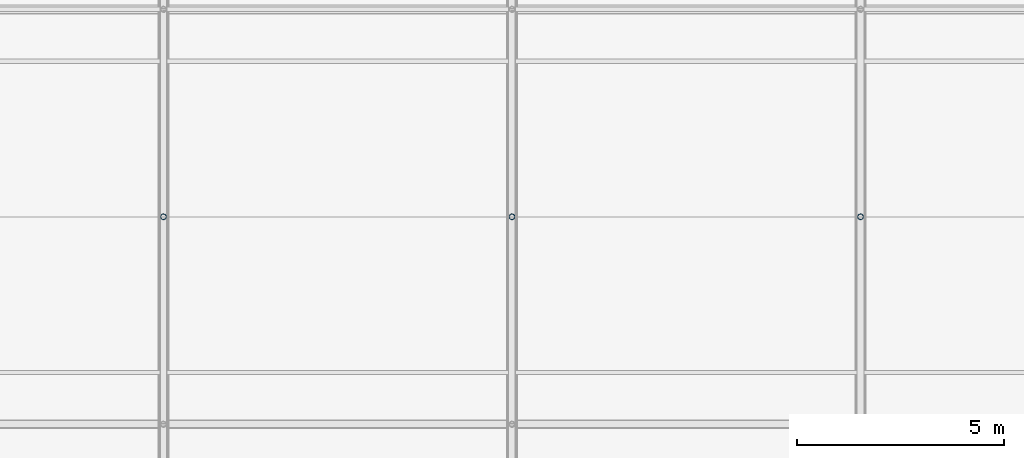
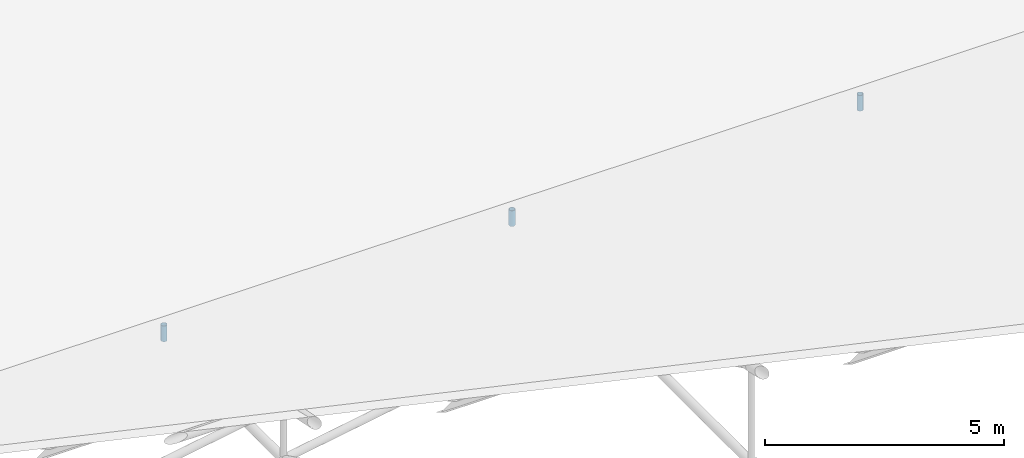
# One storey, part 135 of 194: 3 members.
"""IFC4 building model written with IfcOpenShell, lengths in metres."""

import ifcopenshell
import ifcopenshell.guid

model = None  # the IFC model being written
_history = None  # IfcOwnerHistory: only IFC2X3 demands one
_inside = {}  # id of a spatial element -> (the spatial element, [elements in it])
_under = {}  # id of a project, library or spatial element -> (it, [spatial elements below it])
_declared = {}  # id of a project -> (the project, [libraries it declares])
_typed = {}  # id of a type object -> (the type object, [elements of that type])
_made_of = {}  # id of a material, layer set ... -> (it, [elements and type objects made of it])


def new_model(schema):
    """Start an empty IFC model of exactly this schema.

    Asked for "IFC4X3", IfcOpenShell would pick the latest addendum, in which some entities
    have other attributes; the version numbers below select the first issue.
    IFC2X3 requires an IfcOwnerHistory on every rooted entity: one is made here for all.
    """
    global model, _history
    if schema == "IFC4X3":
        model = ifcopenshell.file(schema_version=(4, 3, 0, 0))
    else:
        model = ifcopenshell.file(schema=schema)
    _inside.clear()
    _under.clear()
    _declared.clear()
    _typed.clear()
    _made_of.clear()
    _history = None
    if model.schema == "IFC2X3":
        org = make("IfcOrganization", Name="unknown")
        user = make(
            "IfcPersonAndOrganization",
            ThePerson=make("IfcPerson", FamilyName="unknown"),
            TheOrganization=org,
        )
        app = make(
            "IfcApplication",
            ApplicationDeveloper=org,
            Version="unknown",
            ApplicationFullName="unknown",
            ApplicationIdentifier="unknown",
        )
        _history = make(
            "IfcOwnerHistory",
            OwningUser=user,
            OwningApplication=app,
            ChangeAction="ADDED",
            CreationDate=0,
        )
    return model


def make(cls, **values):
    """One entity of the class cls with the attributes given. An attribute that is None is left unset."""
    return model.create_entity(
        cls, **{name: value for name, value in values.items() if value is not None}
    )


def rooted(cls, **values):
    """An entity with a GlobalId (a new one), such as an element, a storey or a relation."""
    return make(cls, GlobalId=ifcopenshell.guid.new(), OwnerHistory=_history, **values)


def si_unit(unit_type, name, prefix=None):
    """IfcSIUnit, for example si_unit("LENGTHUNIT", "METRE", prefix="MILLI")."""
    return make("IfcSIUnit", UnitType=unit_type, Prefix=prefix, Name=name)


def assignment(units):
    """IfcUnitAssignment: the units of a project."""
    return None if units is None else make("IfcUnitAssignment", Units=units)


def point(xyz):
    """IfcCartesianPoint."""
    return None if xyz is None else make("IfcCartesianPoint", Coordinates=xyz)


def direction(xyz):
    """IfcDirection."""
    return None if xyz is None else make("IfcDirection", DirectionRatios=xyz)


def frame(location, z_axis=None, x_axis=None):
    """IfcAxis2Placement3D, a coordinate frame: its origin and axes. An axis left out is left unset."""
    return make(
        "IfcAxis2Placement3D",
        Location=point(location),
        Axis=direction(z_axis),
        RefDirection=direction(x_axis),
    )


def frame_2d(location, x_axis=None):
    """IfcAxis2Placement2D, a coordinate frame in the plane: its origin and x axis."""
    return make(
        "IfcAxis2Placement2D", Location=point(location), RefDirection=direction(x_axis)
    )


def origin():
    """The frame at (0, 0, 0) with its axes left unset."""
    return frame((0.0, 0.0, 0.0))


def origin_2d():
    """The frame at (0, 0) in the plane with its x axis left unset."""
    return frame_2d((0.0, 0.0))


def place(relative_to, where):
    """IfcLocalPlacement: puts the frame where relative to a parent placement (None: the world)."""
    return make(
        "IfcLocalPlacement", PlacementRelTo=relative_to, RelativePlacement=where
    )


def context(
    kind, dimensions, precision=None, world=None, true_north=None, identifier=None
):
    """IfcGeometricRepresentationContext, for example the 3D "Model" context."""
    return make(
        "IfcGeometricRepresentationContext",
        ContextIdentifier=identifier,
        ContextType=kind,
        CoordinateSpaceDimension=dimensions,
        Precision=precision,
        WorldCoordinateSystem=world,
        TrueNorth=true_north,
    )


def subcontext(parent, identifier, kind, view, scale=None):
    """IfcGeometricRepresentationSubContext, for example "Body" below "Model"."""
    return make(
        "IfcGeometricRepresentationSubContext",
        ContextIdentifier=identifier,
        ContextType=kind,
        ParentContext=parent,
        TargetScale=scale,
        TargetView=view,
    )


def project(units=None, contexts=None):
    """IfcProject with its units and contexts."""
    return rooted(
        "IfcProject",
        Name="project",
        RepresentationContexts=contexts,
        UnitsInContext=assignment(units),
    )


def spatial(cls, under=None, at=None, **own):
    """A site, building, storey or space (cls), placed at a placement, below another one or the project."""
    s = rooted(cls, ObjectPlacement=at, **own)
    if under is not None:
        _under.setdefault(under.id(), (under, []))[1].append(s)
    return s


def profile(cls, at=None, kind="AREA", **sizes):
    """A parametric profile (cls). Its sizes go by their IFC names, for example OverallWidth=200.0."""
    return make(cls, ProfileType=kind, Position=at, **sizes)


def hollow_circle(**sizes):
    """IfcCircleHollowProfileDef."""
    return profile("IfcCircleHollowProfileDef", **sizes)


def extrude(swept, where, along, depth):
    """IfcExtrudedAreaSolid: the profile swept, set in the frame where, extruded along a direction by depth."""
    return make(
        "IfcExtrudedAreaSolid",
        SweptArea=swept,
        Position=where,
        ExtrudedDirection=direction(along),
        Depth=depth,
    )


def shape(context_of_items, identifier, shape_type, items):
    """IfcShapeRepresentation: the items that make up one representation, for example the "Body"."""
    return make(
        "IfcShapeRepresentation",
        ContextOfItems=context_of_items,
        RepresentationIdentifier=identifier,
        RepresentationType=shape_type,
        Items=items,
    )


def material(Name=None, Category=None):
    """IfcMaterial."""
    return make("IfcMaterial", Name=Name, Category=Category)


def material_profile(
    of_material, cross_section, Name=None, Category=None, Priority=None
):
    """IfcMaterialProfile: a cross section and its material."""
    return make(
        "IfcMaterialProfile",
        Name=Name,
        Material=of_material,
        Profile=cross_section,
        Priority=Priority,
        Category=Category,
    )


def profile_set(profiles, Name=None, composite=None):
    """IfcMaterialProfileSet."""
    return make(
        "IfcMaterialProfileSet",
        Name=Name,
        MaterialProfiles=profiles,
        CompositeProfile=composite,
    )


def made_of(thing, what):
    """Note that an element or type object is made of a material, layer set ...; save() writes the relation."""
    if what is not None:
        _made_of.setdefault(what.id(), (what, []))[1].append(thing)
    return thing


def type_object(cls, material=None, **own):
    """A type object (cls), such as IfcWallType, which elements share."""
    return made_of(rooted(cls, **own), material)


def element(
    cls,
    number,
    at=None,
    inside=None,
    cuts=None,
    type_object=None,
    material=None,
    context=None,
    identifier="Body",
    shape_type=None,
    held_by="IfcProductDefinitionShape",
    body=None,
    shapes=None,
    **own,
):
    """One element of the class cls, such as IfcWall. Its Tag is "e" and its number.

    at: its placement. inside: the storey or other place that contains it. cuts: it is an
    opening in that element (IfcRelVoidsElement). A single representation is given by context,
    identifier, shape_type and body (its items); several are given by shapes. held_by: the class
    of the entity that holds the representations. save() writes the other relations.
    """
    e = rooted(cls, Tag="e%d" % number, ObjectPlacement=at, **own)
    if body is not None:
        shapes = [shape(context, identifier, shape_type, body)]
    if shapes is not None:
        e.Representation = make(held_by, Representations=shapes)
    if inside is not None:
        _inside.setdefault(inside.id(), (inside, []))[1].append(e)
    if cuts is not None:
        rooted(
            "IfcRelVoidsElement", RelatingBuildingElement=cuts, RelatedOpeningElement=e
        )
    if type_object is not None:
        _typed.setdefault(type_object.id(), (type_object, []))[1].append(e)
    return made_of(e, material)


def aggregate(whole, parts):
    """IfcRelAggregates: a whole, such as a stair, and the parts it consists of."""
    return rooted("IfcRelAggregates", RelatingObject=whole, RelatedObjects=parts)


def save(model, path):
    """Write the relations noted so far, then the file.

    IfcRelAggregates (storeys below a building ...), IfcRelContainedInSpatialStructure (elements
    in a storey), IfcRelDefinesByType, IfcRelAssociatesMaterial and IfcRelDeclares: one each for
    every whole, place, type object, material and project.
    """
    for whole, parts in _under.values():
        aggregate(whole, parts)
    for where, things in _inside.values():
        rooted(
            "IfcRelContainedInSpatialStructure",
            RelatedElements=things,
            RelatingStructure=where,
        )
    for kind, things in _typed.values():
        rooted("IfcRelDefinesByType", RelatedObjects=things, RelatingType=kind)
    for what, things in _made_of.values():
        rooted("IfcRelAssociatesMaterial", RelatedObjects=things, RelatingMaterial=what)
    for by, libraries in _declared.values():
        rooted("IfcRelDeclares", RelatingContext=by, RelatedDefinitions=libraries)
    model.write(path)


model = new_model("IFC4")

# Units and contexts
model_context = context("Model", 3, precision=1e-05, world=origin(), true_north=direction((0.0, 1.0)))
body_context = subcontext(model_context, "Body", "Model", "MODEL_VIEW")
ifc_project = project(units=[si_unit("LENGTHUNIT", "METRE"), si_unit("AREAUNIT", "SQUARE_METRE"), si_unit("VOLUMEUNIT", "CUBIC_METRE"), si_unit("PLANEANGLEUNIT", "RADIAN"), si_unit("MASSUNIT", "GRAM", prefix="KILO")], contexts=[model_context])

# Site, building, storey
site_placement = place(None, origin())
site = spatial("IfcSite", under=ifc_project, at=site_placement, CompositionType="ELEMENT")
building_placement = place(site_placement, origin())
building = spatial("IfcBuilding", under=site, at=building_placement, Name="Kazenagashi Tramway Depot", CompositionType="ELEMENT")
storey_placement = place(building_placement, frame((0.0, 0.0, 23.7)))
storey = spatial("IfcBuildingStorey", under=building, at=storey_placement, Name="ROOF", CompositionType="ELEMENT", Elevation=23.7)

# Members
ifc_material = material(Name="Steel STK490", Category="steel")
ifc_material_profile = material_profile(ifc_material, hollow_circle(Radius=0.0699, WallThickness=0.0066, at=origin_2d()), Name="CHS-139.8x6.6")
ifc_profile_set = profile_set([ifc_material_profile], Name="Steel STK490")
member_type = type_object("IfcMemberType", Name="TS-02", PredefinedType="STRUT", material=ifc_profile_set)
for number, where, z_axis, x_axis, name in (
    (1, (95.2, 100.0, -14.1), (0.0, 0.0, 1.0), (1.0, 0.0, 0.0), "Tubular Space Frame TS-02 MEM-0391"),
    (2, (103.6, 100.0, -14.1), (0.0, 0.0, 1.0), (1.0, 0.0, 0.0), "Tubular Space Frame TS-02 MEM-0452"),
    (3, (112.0, 100.0, -14.1), (0.0, 0.0, 1.0), (1.0, 0.0, 0.0), "Tubular Space Frame TS-02 MEM-0513"),
):
    element("IfcMember", number, at=place(storey_placement, frame(where, z_axis=z_axis, x_axis=x_axis)), inside=storey, type_object=member_type, Name=name, PredefinedType="STRUT", context=body_context, shape_type="SweptSolid", body=[
        extrude(hollow_circle(Radius=0.0699, WallThickness=0.0066, at=origin_2d()), origin(), (0.0, 0.0, 1.0), 0.4),
    ])

save(model, "model.ifc")
